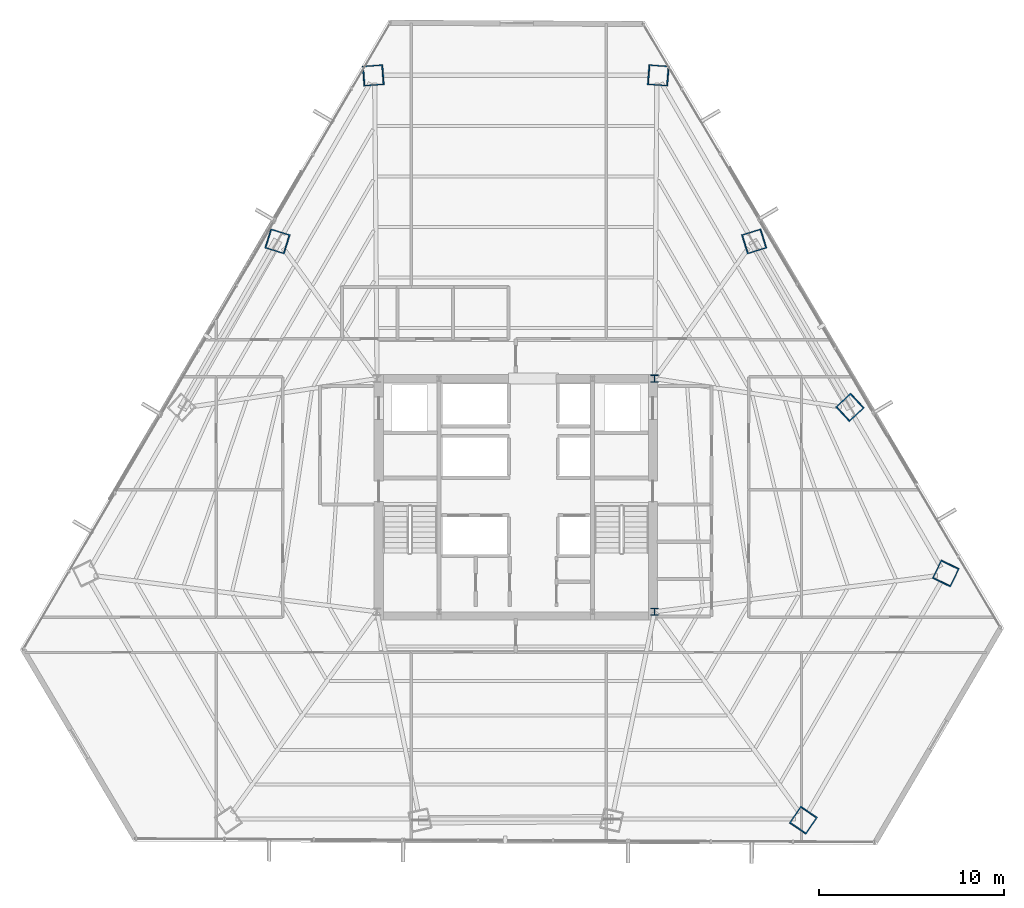
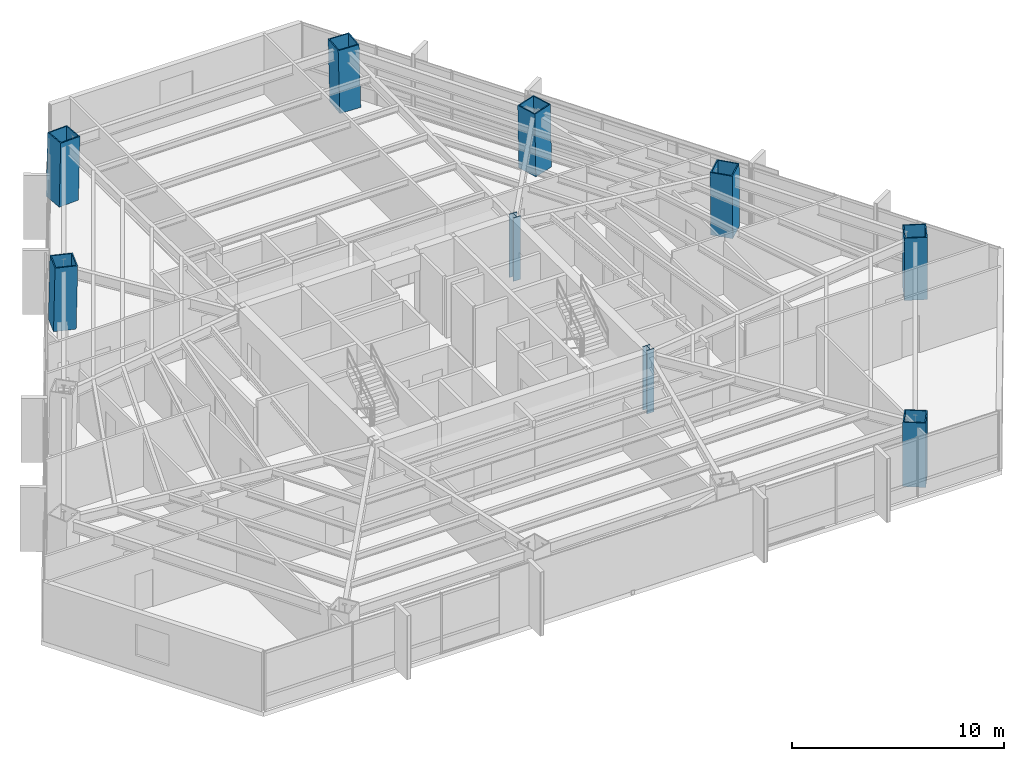
# One storey, part 3 of 35: 9 columns.
"""IFC4 building model written with IfcOpenShell, lengths in metres."""

from ifc_helpers import new_model, si_unit, direction, frame, origin, origin_2d, place, context, subcontext, project, spatial, hollow_rectangle, i_section, extrude, source, transform, mapped, material, material_profile, profile_set, type_object, type_shapes, element, save


model = new_model("IFC4")

# Units and contexts
model_context = context("Model", 3, precision=1e-05, world=origin(), true_north=direction((0.0, 1.0)))
body_context = subcontext(model_context, "Body", "Model", "MODEL_VIEW")
ifc_project = project(units=[si_unit("LENGTHUNIT", "METRE"), si_unit("AREAUNIT", "SQUARE_METRE"), si_unit("VOLUMEUNIT", "CUBIC_METRE"), si_unit("PLANEANGLEUNIT", "RADIAN"), si_unit("MASSUNIT", "GRAM", prefix="KILO")], contexts=[model_context])

# Site, building, storey
site_placement = place(None, origin())
site = spatial("IfcSite", under=ifc_project, at=site_placement, CompositionType="ELEMENT")
building_placement = place(site_placement, origin())
building = spatial("IfcBuilding", under=site, at=building_placement, Name="Caelisora Broadcast Tower", CompositionType="ELEMENT")
storey_placement = place(building_placement, frame((0.0, 0.0, 94.449951171875)))
storey = spatial("IfcBuildingStorey", under=building, at=storey_placement, Name="L24", CompositionType="ELEMENT", Elevation=94.449951171875)

# Columns
ifc_material_1 = material(Name="Steel Grade 350 L15 (AS/NZS 3678)", Category="steel")
ifc_material_profile_1 = material_profile(ifc_material_1, hollow_rectangle(XDim=1.10009765625, YDim=1.10009765625, WallThickness=0.06005859375, at=origin_2d()), Name="Steel Grade 350 L15 (AS/NZS 3678)")
ifc_profile_set_1 = profile_set([ifc_material_profile_1], Name="Steel Grade 350 L15 (AS/NZS 3678)")
column_type_1 = type_object("IfcColumnType", Name="MC03", PredefinedType="COLUMN", material=ifc_profile_set_1)
shared_shape_1 = source(origin(), body_context, "Body", "SweptSolid", [
    extrude(hollow_rectangle(XDim=1.10009765625, YDim=1.10009765625, WallThickness=0.06005859375, at=origin_2d()), origin(), (0.0, 0.0, 1.0), 3.65087890625),
])
for number, where, z_axis, x_axis, name in (
    (1, (25.10791015625, 37.421875, 0.0), (0.01939269685, -0.00601842316, 0.999793829693), (0.296399214872, 0.955064136811, 0.0), "L24 column MC03"),
    (2, (56.069580078125, 28.4541015625, 0.0), (-0.014845459728, -0.013775516685, 0.9997949027), (0.68019775991, -0.733028653883, 0.0), "L24 column MC03"),
    (3, (50.89208984375, 37.421875, 0.0), (-0.01939269685, -0.00601842316, 0.999793829693), (0.296399214872, -0.955064136811, 0.0), "L24 column MC03"),
):
    element("IfcColumn", number, at=place(storey_placement, frame(where, z_axis=z_axis, x_axis=x_axis)), inside=storey, type_object=column_type_1, Name=name, PredefinedType="COLUMN", context=body_context, shape_type="MappedRepresentation", body=[
        mapped(shared_shape_1, transform((0.0, 0.0, 0.0), scale=1.0)),
    ])
ifc_material_2 = material(Name="Steel Grade 350 (AS/NZS 3679.2)", Category="steel")
ifc_material_profile_2 = material_profile(ifc_material_2, i_section(OverallWidth=0.39990234375, OverallDepth=0.39990234375, WebThickness=0.02001953125, FlangeThickness=0.031982421875, at=origin_2d()), Name="Steel Grade 350 (AS/NZS 3679.2)")
ifc_profile_set_2 = profile_set([ifc_material_profile_2], Name="Steel Grade 350 (AS/NZS 3679.2)")
column_type_2 = type_object("IfcColumnType", Name="CC02", PredefinedType="COLUMN", material=ifc_profile_set_2)
shared_shape_2 = source(origin(), body_context, "Body", "SweptSolid", [
    extrude(i_section(OverallWidth=0.39990234375, OverallDepth=0.39990234375, WebThickness=0.02001953125, FlangeThickness=0.031982421875, at=origin_2d()), origin(), (0.0, 0.0, 1.0), 3.650146484375),
])
type_shapes(column_type_2, [shared_shape_2])
for number, where, z_axis, x_axis, name in (
    (4, (45.5, 17.39990234375, 0.0), (0.0, 0.0, 1.0), (1.0, 0.0, 0.0), "L24 column CC02"),
    (5, (45.5, 30.0, 0.0), (0.0, 0.0, 1.0), (1.0, 0.0, 0.0), "L24 column CC02"),
):
    element("IfcColumn", number, at=place(storey_placement, frame(where, z_axis=z_axis, x_axis=x_axis)), inside=storey, type_object=column_type_2, Name=name, PredefinedType="COLUMN", context=body_context, shape_type="MappedRepresentation", body=[
        mapped(shared_shape_2, transform((0.0, 0.0, 0.0), scale=1.0)),
    ])
shared_shape_3 = source(origin(), body_context, "Body", "SweptSolid", [
    extrude(hollow_rectangle(XDim=1.10009765625, YDim=1.10009765625, WallThickness=0.06005859375, at=origin_2d()), origin(), (0.0, 0.0, 1.0), 3.651123046875),
])
type_shapes(column_type_1, [shared_shape_1, shared_shape_3])
for number, where, z_axis, x_axis, name in (
    (6, (45.714599609375, 46.3896484375, 0.0), (-0.023871161178, 0.00173851594, 0.999713531581), (-0.07263675076, -0.997358462359, 0.0), "L24 column MC03"),
    (7, (30.285400390625, 46.3896484375, 0.0), (0.023871161178, 0.00173851594, 0.999713531581), (-0.07263675076, 0.997358462359, 0.0), "L24 column MC03"),
    (8, (53.53271484375, 6.1240234375, 0.0), (0.013440068782, 0.019792340097, 0.999713772949), (-0.827290216258, 0.561774775229, 0.0), "L24 column MC03"),
    (9, (61.247314453125, 19.486083984375, 0.0), (-0.010431098089, -0.021530856313, 0.999713766245), (0.899947055326, -0.435999194506, 0.0), "L24 column MC03"),
):
    element("IfcColumn", number, at=place(storey_placement, frame(where, z_axis=z_axis, x_axis=x_axis)), inside=storey, type_object=column_type_1, Name=name, PredefinedType="COLUMN", context=body_context, shape_type="MappedRepresentation", body=[
        mapped(shared_shape_3, transform((0.0, 0.0, 0.0), scale=1.0)),
    ])

save(model, "model.ifc")
